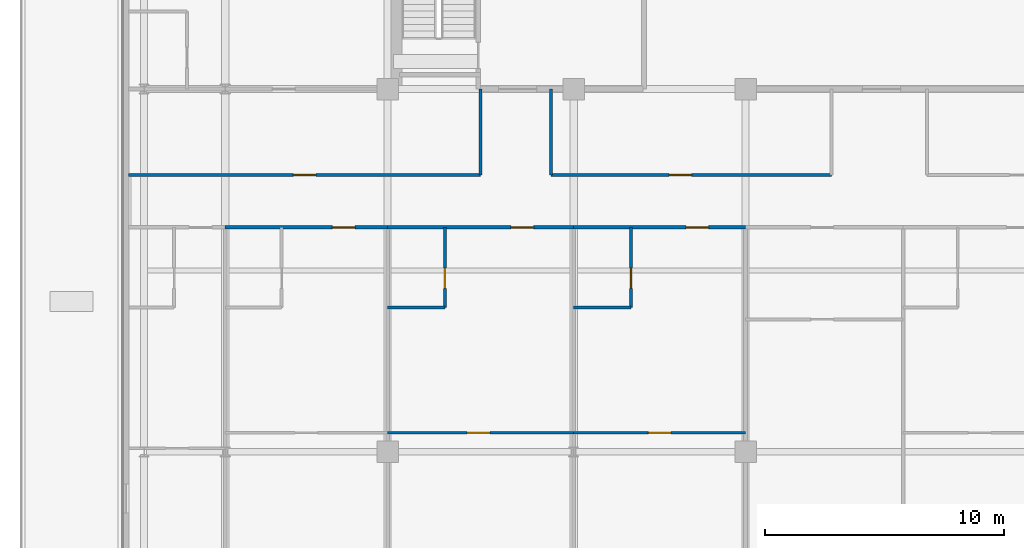
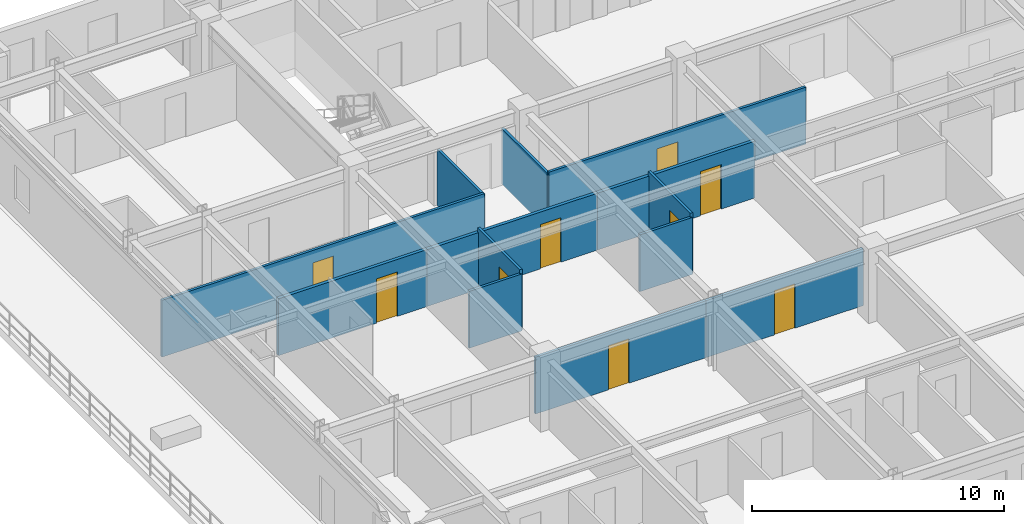
# One storey, part 17 of 26: 13 walls, 9 doors, 9 openings.
"""IFC4 building model written with IfcOpenShell, lengths in metres."""

from ifc_helpers import new_model, si_unit, direction, frame, frame_2d, origin, place, context, subcontext, project, spatial, rectangle, extrude, source, transform, mapped, material, layer, layer_set, type_object, element, fill, save


model = new_model("IFC4")

# Units and contexts
model_context = context("Model", 3, precision=1e-05, world=origin(), true_north=direction((0.0, 1.0)))
body_context = subcontext(model_context, "Body", "Model", "MODEL_VIEW")
ifc_project = project(units=[si_unit("LENGTHUNIT", "METRE"), si_unit("AREAUNIT", "SQUARE_METRE"), si_unit("VOLUMEUNIT", "CUBIC_METRE"), si_unit("PLANEANGLEUNIT", "RADIAN"), si_unit("MASSUNIT", "GRAM", prefix="KILO")], contexts=[model_context])

# Site, building, storey
site_placement = place(None, origin())
site = spatial("IfcSite", under=ifc_project, at=site_placement, CompositionType="ELEMENT")
building_placement = place(site_placement, origin())
building = spatial("IfcBuilding", under=site, at=building_placement, Name="Trelvane Seafront Commons", CompositionType="ELEMENT")
storey_placement = place(building_placement, frame((0.0, 0.0, 23.5)))
storey = spatial("IfcBuildingStorey", under=building, at=storey_placement, Name="L05", CompositionType="ELEMENT", Elevation=23.5)

# Wall, opening, door
ifc_material_1 = material(Name="Gypsum Drywall Acoustic Partition")
ifc_layer_1 = layer(ifc_material_1, 0.1201171875, Name="ARCH-WALL-PART120")
ifc_layer_set_1 = layer_set([ifc_layer_1], Name="Gypsum Drywall Acoustic Partition")
wall_type_1 = type_object("IfcWallType", Name="ARCH-WALL-PART120", PredefinedType="PARTITIONING", material=ifc_layer_set_1)
wall_1_placement = place(storey_placement, frame((4.75, 29.800048828125, 0.0), z_axis=(0.0, 0.0, 1.0), x_axis=(1.0, 0.0, 0.0)))
wall_1 = element("IfcWall", 1, at=wall_1_placement, inside=storey, type_object=wall_type_1, Name="W-L05-CORR-N-W-038", PredefinedType="PARTITIONING", context=body_context, shape_type="SweptSolid", body=[
    extrude(rectangle(XDim=14.75, YDim=0.1201171875, at=frame_2d((7.375, 0.0))), origin(), (0.0, 0.0, 1.0), 2.751953125),
])
opening_1_placement = place(wall_1_placement, frame((6.89990234375, 0.0, 0.0)))
opening_1 = element("IfcOpeningElement", 2, at=opening_1_placement, cuts=wall_1, Name="Opening D-L05-17", PredefinedType="OPENING", context=body_context, shape_type="SweptSolid", body=[
    extrude(rectangle(XDim=0.949951171875, YDim=2.14990234375, at=frame_2d((0.47509765625, 1.074951171875))), frame((0.0, 0.070068359375, 0.0), z_axis=(0.0, -1.0, 0.0), x_axis=(1.0, 0.0, 0.0)), (0.0, 0.0, 1.0), 0.14013671875),
])
ifc_material_2 = material(Name="Acoustic timber door leaf", Category="wood")
door_type_1 = type_object("IfcDoorType", Name="ARCH-DR-INT950", OperationType="NOTDEFINED", PredefinedType="DOOR", material=ifc_material_2)
shared_shape_1 = source(origin(), body_context, "Body", "SweptSolid", [
    extrude(rectangle(XDim=0.949951171875, YDim=2.14990234375, at=frame_2d((0.47509765625, 1.074951171875))), frame((0.0, 0.02490234375, 0.0), z_axis=(0.0, -1.0, 0.0), x_axis=(1.0, 0.0, 0.0)), (0.0, 0.0, 1.0), 0.050048828125),
])
door_1_placement = place(opening_1_placement, origin())
door_1 = element("IfcDoor", 3, at=door_1_placement, inside=storey, type_object=door_type_1, Name="L05 Door 17", OperationType="SINGLE_SWING_LEFT", OverallHeight=2.14990234375, OverallWidth=0.949951171875, PredefinedType="DOOR", context=body_context, shape_type="MappedRepresentation", body=[
    mapped(shared_shape_1, transform((0.0, 0.0, 0.0), x_axis=(1.0, 0.0, 0.0), y_axis=(0.0, 1.0, 0.0), z_axis=(0.0, 0.0, 1.0), scale=1.0)),
])
fill(opening_1, door_1)

wall_2_placement = place(storey_placement, frame((22.449951171875, 29.800048828125, 0.0), z_axis=(0.0, 0.0, 1.0), x_axis=(1.0, 0.0, 0.0)))
wall_2 = element("IfcWall", 4, at=wall_2_placement, inside=storey, type_object=wall_type_1, Name="W-L05-CORR-N-M1-039", PredefinedType="PARTITIONING", context=body_context, shape_type="SweptSolid", body=[
    extrude(rectangle(XDim=11.75, YDim=0.1201171875, at=frame_2d((5.875, 0.0))), origin(), (0.0, 0.0, 1.0), 2.751953125),
])
opening_2_placement = place(wall_2_placement, frame((4.944091796875, 0.0, 0.0)))
opening_2 = element("IfcOpeningElement", 5, at=opening_2_placement, cuts=wall_2, Name="Opening D-L05-18", PredefinedType="OPENING", context=body_context, shape_type="SweptSolid", body=[
    extrude(rectangle(XDim=0.949951171875, YDim=2.14990234375, at=frame_2d((0.47509765625, 1.074951171875))), frame((0.0, 0.070068359375, 0.0), z_axis=(0.0, -1.0, 0.0), x_axis=(1.0, 0.0, 0.0)), (0.0, 0.0, 1.0), 0.14013671875),
])
door_2_placement = place(opening_2_placement, origin())
door_2 = element("IfcDoor", 6, at=door_2_placement, inside=storey, type_object=door_type_1, Name="L05 Door 18", OperationType="SINGLE_SWING_RIGHT", OverallHeight=2.14990234375, OverallWidth=0.949951171875, PredefinedType="DOOR", context=body_context, shape_type="MappedRepresentation", body=[
    mapped(shared_shape_1, transform((0.0, 0.0, 0.0), x_axis=(1.0, 0.0, 0.0), y_axis=(0.0, 1.0, 0.0), z_axis=(0.0, 0.0, 1.0), scale=1.0)),
])
fill(opening_2, door_2)

# Walls
for number, where, z_axis, x_axis, name in (
    (7, (19.5, 29.800048828125, 0.0), (0.0, 0.0, 1.0), (0.0, 1.0, 0.0), "W-L05-N-SPUR-W1-043"),
    (8, (22.449951171875, 29.800048828125, 0.0), (0.0, 0.0, 1.0), (0.0, 1.0, 0.0), "W-L05-N-SPUR-W2-044"),
):
    element("IfcWall", number, at=place(storey_placement, frame(where, z_axis=z_axis, x_axis=x_axis)), inside=storey, type_object=wall_type_1, Name=name, PredefinedType="PARTITIONING", context=body_context, shape_type="SweptSolid", body=[
        extrude(rectangle(XDim=3.599853515625, YDim=0.1201171875, at=frame_2d((1.7998046875, 0.0))), origin(), (0.0, 0.0, 1.0), 2.68994140625),
    ])

# Wall, opening, door
wall_3_placement = place(storey_placement, frame((15.60009765625, 19.0, 0.0), z_axis=(0.0, 0.0, 1.0), x_axis=(1.0, 0.0, 0.0)))
wall_3 = element("IfcWall", 9, at=wall_3_placement, inside=storey, type_object=wall_type_1, Name="W-L05-U3-KL-085", PredefinedType="PARTITIONING", context=body_context, shape_type="SweptSolid", body=[
    extrude(rectangle(XDim=7.7998046875, YDim=0.1201171875, at=frame_2d((3.89990234375, 0.0))), origin(), (0.0, 0.0, 1.0), 2.751953125),
])
opening_3_placement = place(wall_3_placement, frame((3.3330078125, 0.0, 0.0)))
opening_3 = element("IfcOpeningElement", 10, at=opening_3_placement, cuts=wall_3, Name="Opening D-L05-42", PredefinedType="OPENING", context=body_context, shape_type="SweptSolid", body=[
    extrude(rectangle(XDim=0.949951171875, YDim=2.14990234375, at=frame_2d((0.47509765625, 1.074951171875))), frame((0.0, 0.070068359375, 0.0), z_axis=(0.0, -1.0, 0.0), x_axis=(1.0, 0.0, 0.0)), (0.0, 0.0, 1.0), 0.14013671875),
])
door_3_placement = place(opening_3_placement, origin())
door_3 = element("IfcDoor", 11, at=door_3_placement, inside=storey, type_object=door_type_1, Name="L05 Door 42", OperationType="SINGLE_SWING_RIGHT", OverallHeight=2.14990234375, OverallWidth=0.949951171875, PredefinedType="DOOR", context=body_context, shape_type="MappedRepresentation", body=[
    mapped(shared_shape_1, transform((0.0, 0.0, 0.0), x_axis=(1.0, 0.0, 0.0), y_axis=(0.0, 1.0, 0.0), z_axis=(0.0, 0.0, 1.0), scale=1.0)),
])
fill(opening_3, door_3)

wall_4_placement = place(storey_placement, frame((18.0, 24.25, 0.0), z_axis=(0.0, 0.0, 1.0), x_axis=(0.0, 1.0, 0.0)))
wall_4 = element("IfcWall", 12, at=wall_4_placement, inside=storey, type_object=wall_type_1, Name="W-L05-U3-BE-086", PredefinedType="PARTITIONING", context=body_context, shape_type="SweptSolid", body=[
    extrude(rectangle(XDim=3.35009765625, YDim=0.1201171875, at=frame_2d((1.675048828125, 0.0))), origin(), (0.0, 0.0, 1.0), 2.93994140625),
])
opening_4_placement = place(wall_4_placement, frame((0.800048828125, 0.0, 0.0)))
opening_4 = element("IfcOpeningElement", 13, at=opening_4_placement, cuts=wall_4, Name="Opening D-L05-43", PredefinedType="OPENING", context=body_context, shape_type="SweptSolid", body=[
    extrude(rectangle(XDim=0.85009765625, YDim=2.10009765625, at=frame_2d((0.425048828125, 1.050048828125))), frame((0.0, 0.070068359375, 0.0), z_axis=(0.0, -1.0, 0.0), x_axis=(1.0, 0.0, 0.0)), (0.0, 0.0, 1.0), 0.14013671875),
])
door_type_2 = type_object("IfcDoorType", Name="ARCH-DR-INT850", OperationType="NOTDEFINED", PredefinedType="DOOR", material=ifc_material_2)
shared_shape_2 = source(origin(), body_context, "Body", "SweptSolid", [
    extrude(rectangle(XDim=0.85009765625, YDim=2.10009765625, at=frame_2d((0.425048828125, 1.050048828125))), frame((0.0, 0.02490234375, 0.0), z_axis=(0.0, -1.0, 0.0), x_axis=(1.0, 0.0, 0.0)), (0.0, 0.0, 1.0), 0.050048828125),
])
door_4_placement = place(opening_4_placement, origin())
door_4 = element("IfcDoor", 14, at=door_4_placement, inside=storey, type_object=door_type_2, Name="L05 Door 43", OperationType="SINGLE_SWING_LEFT", OverallHeight=2.10009765625, OverallWidth=0.85009765625, PredefinedType="DOOR", context=body_context, shape_type="MappedRepresentation", body=[
    mapped(shared_shape_2, transform((0.0, 0.0, 0.0), x_axis=(1.0, 0.0, 0.0), y_axis=(0.0, 1.0, 0.0), z_axis=(0.0, 0.0, 1.0), scale=1.0)),
])
fill(opening_4, door_4)

# Wall
wall_5_placement = place(storey_placement, frame((15.60009765625, 24.25, 0.0), z_axis=(0.0, 0.0, 1.0), x_axis=(1.0, 0.0, 0.0)))
element("IfcWall", 15, at=wall_5_placement, inside=storey, type_object=wall_type_1, Name="W-L05-U3-BS-087", PredefinedType="PARTITIONING", context=body_context, shape_type="SweptSolid", body=[
    extrude(rectangle(XDim=2.39990234375, YDim=0.1201171875, at=frame_2d((1.199951171875, 0.0))), origin(), (0.0, 0.0, 1.0), 2.751953125),
])

# Wall, opening, door
wall_6_placement = place(storey_placement, frame((23.39990234375, 19.0, 0.0), z_axis=(0.0, 0.0, 1.0), x_axis=(1.0, 0.0, 0.0)))
wall_6 = element("IfcWall", 16, at=wall_6_placement, inside=storey, type_object=wall_type_1, Name="W-L05-U4-KL-092", PredefinedType="PARTITIONING", context=body_context, shape_type="SweptSolid", body=[
    extrude(rectangle(XDim=7.2001953125, YDim=0.1201171875, at=frame_2d((3.60009765625, 0.0))), origin(), (0.0, 0.0, 1.0), 2.751953125),
])
opening_5_placement = place(wall_6_placement, frame((3.125, 0.0, 0.0)))
opening_5 = element("IfcOpeningElement", 17, at=opening_5_placement, cuts=wall_6, Name="Opening D-L05-47", PredefinedType="OPENING", context=body_context, shape_type="SweptSolid", body=[
    extrude(rectangle(XDim=0.949951171875, YDim=2.14990234375, at=frame_2d((0.47509765625, 1.074951171875))), frame((0.0, 0.070068359375, 0.0), z_axis=(0.0, -1.0, 0.0), x_axis=(1.0, 0.0, 0.0)), (0.0, 0.0, 1.0), 0.14013671875),
])
door_5_placement = place(opening_5_placement, origin())
door_5 = element("IfcDoor", 18, at=door_5_placement, inside=storey, type_object=door_type_1, Name="L05 Door 47", OperationType="SINGLE_SWING_LEFT", OverallHeight=2.14990234375, OverallWidth=0.949951171875, PredefinedType="DOOR", context=body_context, shape_type="MappedRepresentation", body=[
    mapped(shared_shape_1, transform((0.0, 0.0, 0.0), x_axis=(1.0, 0.0, 0.0), y_axis=(0.0, 1.0, 0.0), z_axis=(0.0, 0.0, 1.0), scale=1.0)),
])
fill(opening_5, door_5)

wall_7_placement = place(storey_placement, frame((25.800048828125, 24.25, 0.0), z_axis=(0.0, 0.0, 1.0), x_axis=(0.0, 1.0, 0.0)))
wall_7 = element("IfcWall", 19, at=wall_7_placement, inside=storey, type_object=wall_type_1, Name="W-L05-U4-BE-093", PredefinedType="PARTITIONING", context=body_context, shape_type="SweptSolid", body=[
    extrude(rectangle(XDim=3.35009765625, YDim=0.1201171875, at=frame_2d((1.675048828125, 0.0))), origin(), (0.0, 0.0, 1.0), 2.93994140625),
])
opening_6_placement = place(wall_7_placement, frame((0.800048828125, 0.0, 0.0)))
opening_6 = element("IfcOpeningElement", 20, at=opening_6_placement, cuts=wall_7, Name="Opening D-L05-48", PredefinedType="OPENING", context=body_context, shape_type="SweptSolid", body=[
    extrude(rectangle(XDim=0.85009765625, YDim=2.10009765625, at=frame_2d((0.425048828125, 1.050048828125))), frame((0.0, 0.070068359375, 0.0), z_axis=(0.0, -1.0, 0.0), x_axis=(1.0, 0.0, 0.0)), (0.0, 0.0, 1.0), 0.14013671875),
])
door_6_placement = place(opening_6_placement, origin())
door_6 = element("IfcDoor", 21, at=door_6_placement, inside=storey, type_object=door_type_2, Name="L05 Door 48", OperationType="SINGLE_SWING_RIGHT", OverallHeight=2.10009765625, OverallWidth=0.85009765625, PredefinedType="DOOR", context=body_context, shape_type="MappedRepresentation", body=[
    mapped(shared_shape_2, transform((0.0, 0.0, 0.0), x_axis=(1.0, 0.0, 0.0), y_axis=(0.0, 1.0, 0.0), z_axis=(0.0, 0.0, 1.0), scale=1.0)),
])
fill(opening_6, door_6)

# Wall
wall_8_placement = place(storey_placement, frame((23.39990234375, 24.25, 0.0), z_axis=(0.0, 0.0, 1.0), x_axis=(1.0, 0.0, 0.0)))
element("IfcWall", 22, at=wall_8_placement, inside=storey, type_object=wall_type_1, Name="W-L05-U4-BS-094", PredefinedType="PARTITIONING", context=body_context, shape_type="SweptSolid", body=[
    extrude(rectangle(XDim=2.400146484375, YDim=0.1201171875, at=frame_2d((1.2001953125, 0.0))), origin(), (0.0, 0.0, 1.0), 2.751953125),
])

# Wall, opening, door
ifc_layer_2 = layer(ifc_material_1, 0.14990234375, Name="ARCH-WALL-PART150")
ifc_layer_set_2 = layer_set([ifc_layer_2], Name="Gypsum Drywall Acoustic Partition")
wall_type_2 = type_object("IfcWallType", Name="ARCH-WALL-PART150", PredefinedType="PARTITIONING", material=ifc_layer_set_2)
wall_9_placement = place(storey_placement, frame((8.800048828125, 27.60009765625, 0.0), z_axis=(0.0, 0.0, 1.0), x_axis=(1.0, 0.0, 0.0)))
wall_9 = element("IfcWall", 23, at=wall_9_placement, inside=storey, type_object=wall_type_2, Name="W-L05-CS-BAY-2-081", PredefinedType="PARTITIONING", context=body_context, shape_type="SweptSolid", body=[
    extrude(rectangle(XDim=6.800048828125, YDim=0.14990234375, at=frame_2d((3.39990234375, 0.0))), origin(), (0.0, 0.0, 1.0), 2.751953125),
])
opening_7_placement = place(wall_9_placement, frame((4.489990234375, 0.0, 0.0)))
opening_7 = element("IfcOpeningElement", 24, at=opening_7_placement, cuts=wall_9, Name="Opening FD-L05-39", PredefinedType="OPENING", context=body_context, shape_type="SweptSolid", body=[
    extrude(rectangle(XDim=0.949951171875, YDim=2.14990234375, at=frame_2d((0.47509765625, 1.074951171875))), frame((0.0, 0.0849609375, 0.0), z_axis=(0.0, -1.0, 0.0), x_axis=(1.0, 0.0, 0.0)), (0.0, 0.0, 1.0), 0.169921875),
])
ifc_material_3 = material(Name="Powder-coated aluminium frame", Category="aluminium")
door_type_3 = type_object("IfcDoorType", Name="ARCH-DR-FD60-950", OperationType="NOTDEFINED", PredefinedType="DOOR", material=ifc_material_3)
door_7_placement = place(opening_7_placement, origin())
door_7 = element("IfcDoor", 25, at=door_7_placement, inside=storey, type_object=door_type_3, Name="L05 Unit 02 Entrance Door", OperationType="SINGLE_SWING_LEFT", OverallHeight=2.14990234375, OverallWidth=0.949951171875, PredefinedType="DOOR", context=body_context, shape_type="MappedRepresentation", body=[
    mapped(shared_shape_1, transform((0.0, 0.0, 0.0), x_axis=(1.0, 0.0, 0.0), y_axis=(0.0, 1.0, 0.0), z_axis=(0.0, 0.0, 1.0), scale=1.0)),
])
fill(opening_7, door_7)

wall_10_placement = place(storey_placement, frame((15.60009765625, 27.60009765625, 0.0), z_axis=(0.0, 0.0, 1.0), x_axis=(1.0, 0.0, 0.0)))
wall_10 = element("IfcWall", 26, at=wall_10_placement, inside=storey, type_object=wall_type_2, Name="W-L05-CS-BAY-3-088", PredefinedType="PARTITIONING", context=body_context, shape_type="SweptSolid", body=[
    extrude(rectangle(XDim=7.7998046875, YDim=0.14990234375, at=frame_2d((3.89990234375, 0.0))), origin(), (0.0, 0.0, 1.0), 2.751953125),
])
opening_8_placement = place(wall_10_placement, frame((5.172119140625, 0.0, 0.0)))
opening_8 = element("IfcOpeningElement", 27, at=opening_8_placement, cuts=wall_10, Name="Opening FD-L05-44", PredefinedType="OPENING", context=body_context, shape_type="SweptSolid", body=[
    extrude(rectangle(XDim=0.949951171875, YDim=2.14990234375, at=frame_2d((0.47509765625, 1.074951171875))), frame((0.0, 0.0849609375, 0.0), z_axis=(0.0, -1.0, 0.0), x_axis=(1.0, 0.0, 0.0)), (0.0, 0.0, 1.0), 0.169921875),
])
door_8_placement = place(opening_8_placement, origin())
door_8 = element("IfcDoor", 28, at=door_8_placement, inside=storey, type_object=door_type_3, Name="L05 Unit 03 Entrance Door", OperationType="SINGLE_SWING_RIGHT", OverallHeight=2.14990234375, OverallWidth=0.949951171875, PredefinedType="DOOR", context=body_context, shape_type="MappedRepresentation", body=[
    mapped(shared_shape_1, transform((0.0, 0.0, 0.0), x_axis=(1.0, 0.0, 0.0), y_axis=(0.0, 1.0, 0.0), z_axis=(0.0, 0.0, 1.0), scale=1.0)),
])
fill(opening_8, door_8)

wall_11_placement = place(storey_placement, frame((23.39990234375, 27.60009765625, 0.0), z_axis=(0.0, 0.0, 1.0), x_axis=(1.0, 0.0, 0.0)))
wall_11 = element("IfcWall", 29, at=wall_11_placement, inside=storey, type_object=wall_type_2, Name="W-L05-CS-BAY-4-095", PredefinedType="PARTITIONING", context=body_context, shape_type="SweptSolid", body=[
    extrude(rectangle(XDim=7.2001953125, YDim=0.14990234375, at=frame_2d((3.60009765625, 0.0))), origin(), (0.0, 0.0, 1.0), 2.751953125),
])
opening_9_placement = place(wall_11_placement, frame((4.7060546875, 0.0, 0.0)))
opening_9 = element("IfcOpeningElement", 30, at=opening_9_placement, cuts=wall_11, Name="Opening FD-L05-49", PredefinedType="OPENING", context=body_context, shape_type="SweptSolid", body=[
    extrude(rectangle(XDim=0.949951171875, YDim=2.14990234375, at=frame_2d((0.47509765625, 1.074951171875))), frame((0.0, 0.0849609375, 0.0), z_axis=(0.0, -1.0, 0.0), x_axis=(1.0, 0.0, 0.0)), (0.0, 0.0, 1.0), 0.169921875),
])
door_9_placement = place(opening_9_placement, origin())
door_9 = element("IfcDoor", 31, at=door_9_placement, inside=storey, type_object=door_type_3, Name="L05 Unit 04 Entrance Door", OperationType="SINGLE_SWING_LEFT", OverallHeight=2.14990234375, OverallWidth=0.949951171875, PredefinedType="DOOR", context=body_context, shape_type="MappedRepresentation", body=[
    mapped(shared_shape_1, transform((0.0, 0.0, 0.0), x_axis=(1.0, 0.0, 0.0), y_axis=(0.0, 1.0, 0.0), z_axis=(0.0, 0.0, 1.0), scale=1.0)),
])
fill(opening_9, door_9)

save(model, "model.ifc")
